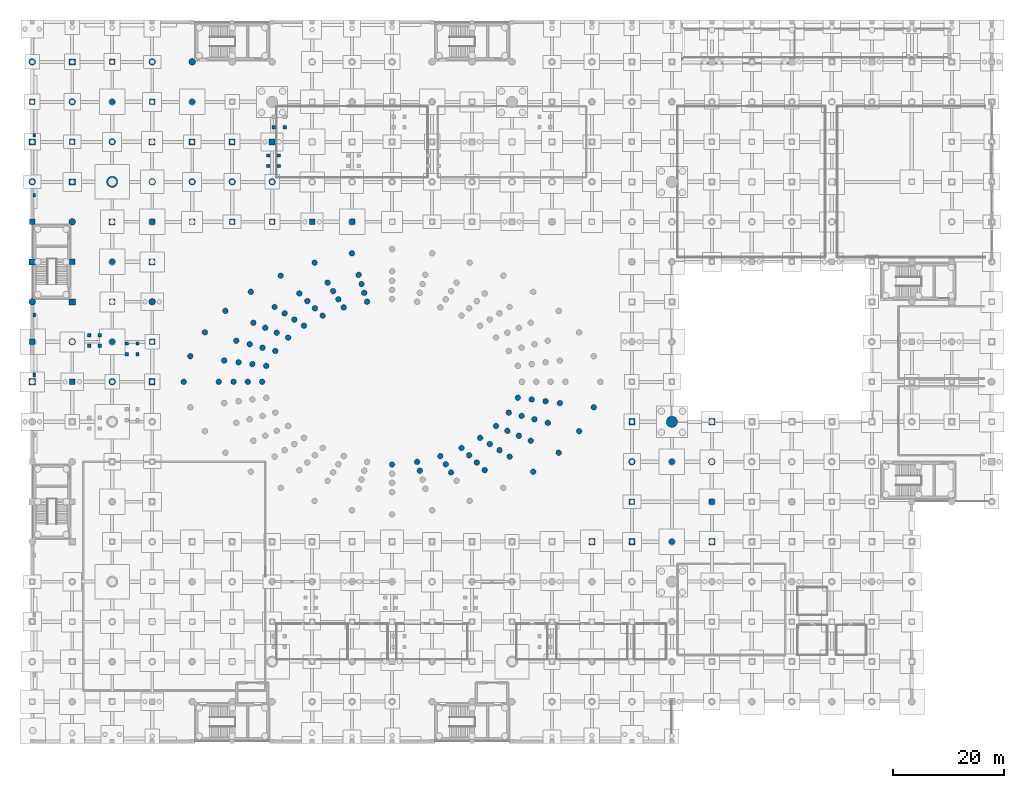
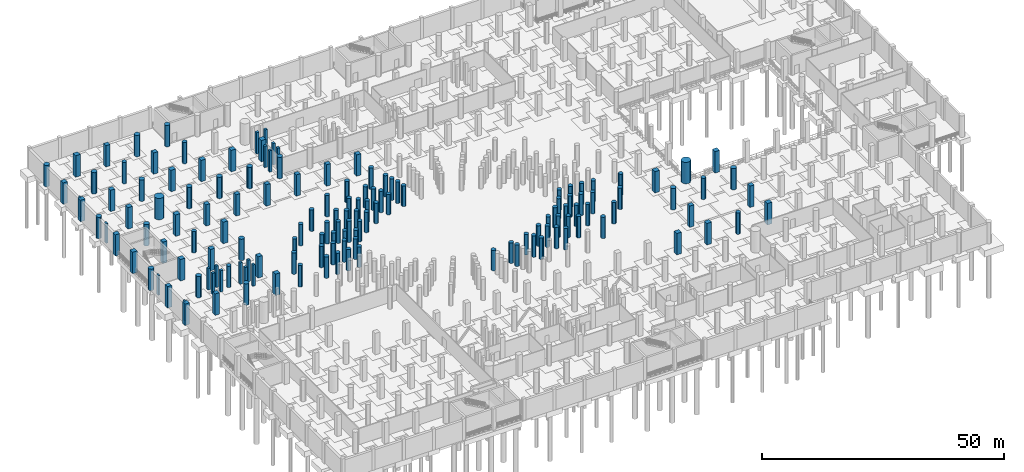
# One storey, part 18 of 37: 149 columns.
"""IFC4 building model written with IfcOpenShell, lengths in metres."""

import ifcopenshell
import ifcopenshell.guid

model = None  # the IFC model being written
_history = None  # IfcOwnerHistory: only IFC2X3 demands one
_inside = {}  # id of a spatial element -> (the spatial element, [elements in it])
_under = {}  # id of a project, library or spatial element -> (it, [spatial elements below it])
_declared = {}  # id of a project -> (the project, [libraries it declares])
_typed = {}  # id of a type object -> (the type object, [elements of that type])
_made_of = {}  # id of a material, layer set ... -> (it, [elements and type objects made of it])


def new_model(schema):
    """Start an empty IFC model of exactly this schema.

    Asked for "IFC4X3", IfcOpenShell would pick the latest addendum, in which some entities
    have other attributes; the version numbers below select the first issue.
    IFC2X3 requires an IfcOwnerHistory on every rooted entity: one is made here for all.
    """
    global model, _history
    if schema == "IFC4X3":
        model = ifcopenshell.file(schema_version=(4, 3, 0, 0))
    else:
        model = ifcopenshell.file(schema=schema)
    _inside.clear()
    _under.clear()
    _declared.clear()
    _typed.clear()
    _made_of.clear()
    _history = None
    if model.schema == "IFC2X3":
        org = make("IfcOrganization", Name="unknown")
        user = make(
            "IfcPersonAndOrganization",
            ThePerson=make("IfcPerson", FamilyName="unknown"),
            TheOrganization=org,
        )
        app = make(
            "IfcApplication",
            ApplicationDeveloper=org,
            Version="unknown",
            ApplicationFullName="unknown",
            ApplicationIdentifier="unknown",
        )
        _history = make(
            "IfcOwnerHistory",
            OwningUser=user,
            OwningApplication=app,
            ChangeAction="ADDED",
            CreationDate=0,
        )
    return model


def make(cls, **values):
    """One entity of the class cls with the attributes given. An attribute that is None is left unset."""
    return model.create_entity(
        cls, **{name: value for name, value in values.items() if value is not None}
    )


def rooted(cls, **values):
    """An entity with a GlobalId (a new one), such as an element, a storey or a relation."""
    return make(cls, GlobalId=ifcopenshell.guid.new(), OwnerHistory=_history, **values)


def si_unit(unit_type, name, prefix=None):
    """IfcSIUnit, for example si_unit("LENGTHUNIT", "METRE", prefix="MILLI")."""
    return make("IfcSIUnit", UnitType=unit_type, Prefix=prefix, Name=name)


def assignment(units):
    """IfcUnitAssignment: the units of a project."""
    return None if units is None else make("IfcUnitAssignment", Units=units)


def point(xyz):
    """IfcCartesianPoint."""
    return None if xyz is None else make("IfcCartesianPoint", Coordinates=xyz)


def direction(xyz):
    """IfcDirection."""
    return None if xyz is None else make("IfcDirection", DirectionRatios=xyz)


def frame(location, z_axis=None, x_axis=None):
    """IfcAxis2Placement3D, a coordinate frame: its origin and axes. An axis left out is left unset."""
    return make(
        "IfcAxis2Placement3D",
        Location=point(location),
        Axis=direction(z_axis),
        RefDirection=direction(x_axis),
    )


def frame_2d(location, x_axis=None):
    """IfcAxis2Placement2D, a coordinate frame in the plane: its origin and x axis."""
    return make(
        "IfcAxis2Placement2D", Location=point(location), RefDirection=direction(x_axis)
    )


def origin():
    """The frame at (0, 0, 0) with its axes left unset."""
    return frame((0.0, 0.0, 0.0))


def origin_2d():
    """The frame at (0, 0) in the plane with its x axis left unset."""
    return frame_2d((0.0, 0.0))


def place(relative_to, where):
    """IfcLocalPlacement: puts the frame where relative to a parent placement (None: the world)."""
    return make(
        "IfcLocalPlacement", PlacementRelTo=relative_to, RelativePlacement=where
    )


def context(
    kind, dimensions, precision=None, world=None, true_north=None, identifier=None
):
    """IfcGeometricRepresentationContext, for example the 3D "Model" context."""
    return make(
        "IfcGeometricRepresentationContext",
        ContextIdentifier=identifier,
        ContextType=kind,
        CoordinateSpaceDimension=dimensions,
        Precision=precision,
        WorldCoordinateSystem=world,
        TrueNorth=true_north,
    )


def subcontext(parent, identifier, kind, view, scale=None):
    """IfcGeometricRepresentationSubContext, for example "Body" below "Model"."""
    return make(
        "IfcGeometricRepresentationSubContext",
        ContextIdentifier=identifier,
        ContextType=kind,
        ParentContext=parent,
        TargetScale=scale,
        TargetView=view,
    )


def project(units=None, contexts=None):
    """IfcProject with its units and contexts."""
    return rooted(
        "IfcProject",
        Name="project",
        RepresentationContexts=contexts,
        UnitsInContext=assignment(units),
    )


def spatial(cls, under=None, at=None, **own):
    """A site, building, storey or space (cls), placed at a placement, below another one or the project."""
    s = rooted(cls, ObjectPlacement=at, **own)
    if under is not None:
        _under.setdefault(under.id(), (under, []))[1].append(s)
    return s


def profile(cls, at=None, kind="AREA", **sizes):
    """A parametric profile (cls). Its sizes go by their IFC names, for example OverallWidth=200.0."""
    return make(cls, ProfileType=kind, Position=at, **sizes)


def rectangle(**sizes):
    """IfcRectangleProfileDef."""
    return profile("IfcRectangleProfileDef", **sizes)


def circle(**sizes):
    """IfcCircleProfileDef."""
    return profile("IfcCircleProfileDef", **sizes)


def extrude(swept, where, along, depth):
    """IfcExtrudedAreaSolid: the profile swept, set in the frame where, extruded along a direction by depth."""
    return make(
        "IfcExtrudedAreaSolid",
        SweptArea=swept,
        Position=where,
        ExtrudedDirection=direction(along),
        Depth=depth,
    )


def shape(context_of_items, identifier, shape_type, items):
    """IfcShapeRepresentation: the items that make up one representation, for example the "Body"."""
    return make(
        "IfcShapeRepresentation",
        ContextOfItems=context_of_items,
        RepresentationIdentifier=identifier,
        RepresentationType=shape_type,
        Items=items,
    )


def material(Name=None, Category=None):
    """IfcMaterial."""
    return make("IfcMaterial", Name=Name, Category=Category)


def material_profile(
    of_material, cross_section, Name=None, Category=None, Priority=None
):
    """IfcMaterialProfile: a cross section and its material."""
    return make(
        "IfcMaterialProfile",
        Name=Name,
        Material=of_material,
        Profile=cross_section,
        Priority=Priority,
        Category=Category,
    )


def profile_set(profiles, Name=None, composite=None):
    """IfcMaterialProfileSet."""
    return make(
        "IfcMaterialProfileSet",
        Name=Name,
        MaterialProfiles=profiles,
        CompositeProfile=composite,
    )


def made_of(thing, what):
    """Note that an element or type object is made of a material, layer set ...; save() writes the relation."""
    if what is not None:
        _made_of.setdefault(what.id(), (what, []))[1].append(thing)
    return thing


def type_object(cls, material=None, **own):
    """A type object (cls), such as IfcWallType, which elements share."""
    return made_of(rooted(cls, **own), material)


def element(
    cls,
    number,
    at=None,
    inside=None,
    cuts=None,
    type_object=None,
    material=None,
    context=None,
    identifier="Body",
    shape_type=None,
    held_by="IfcProductDefinitionShape",
    body=None,
    shapes=None,
    **own,
):
    """One element of the class cls, such as IfcWall. Its Tag is "e" and its number.

    at: its placement. inside: the storey or other place that contains it. cuts: it is an
    opening in that element (IfcRelVoidsElement). A single representation is given by context,
    identifier, shape_type and body (its items); several are given by shapes. held_by: the class
    of the entity that holds the representations. save() writes the other relations.
    """
    e = rooted(cls, Tag="e%d" % number, ObjectPlacement=at, **own)
    if body is not None:
        shapes = [shape(context, identifier, shape_type, body)]
    if shapes is not None:
        e.Representation = make(held_by, Representations=shapes)
    if inside is not None:
        _inside.setdefault(inside.id(), (inside, []))[1].append(e)
    if cuts is not None:
        rooted(
            "IfcRelVoidsElement", RelatingBuildingElement=cuts, RelatedOpeningElement=e
        )
    if type_object is not None:
        _typed.setdefault(type_object.id(), (type_object, []))[1].append(e)
    return made_of(e, material)


def aggregate(whole, parts):
    """IfcRelAggregates: a whole, such as a stair, and the parts it consists of."""
    return rooted("IfcRelAggregates", RelatingObject=whole, RelatedObjects=parts)


def save(model, path):
    """Write the relations noted so far, then the file.

    IfcRelAggregates (storeys below a building ...), IfcRelContainedInSpatialStructure (elements
    in a storey), IfcRelDefinesByType, IfcRelAssociatesMaterial and IfcRelDeclares: one each for
    every whole, place, type object, material and project.
    """
    for whole, parts in _under.values():
        aggregate(whole, parts)
    for where, things in _inside.values():
        rooted(
            "IfcRelContainedInSpatialStructure",
            RelatedElements=things,
            RelatingStructure=where,
        )
    for kind, things in _typed.values():
        rooted("IfcRelDefinesByType", RelatedObjects=things, RelatingType=kind)
    for what, things in _made_of.values():
        rooted("IfcRelAssociatesMaterial", RelatedObjects=things, RelatingMaterial=what)
    for by, libraries in _declared.values():
        rooted("IfcRelDeclares", RelatingContext=by, RelatedDefinitions=libraries)
    model.write(path)


model = new_model("IFC4")

# Units and contexts
model_context = context("Model", 3, precision=1e-05, world=origin(), true_north=direction((0.0, 1.0)))
body_context = subcontext(model_context, "Body", "Model", "MODEL_VIEW")
ifc_project = project(units=[si_unit("LENGTHUNIT", "METRE"), si_unit("AREAUNIT", "SQUARE_METRE"), si_unit("VOLUMEUNIT", "CUBIC_METRE"), si_unit("PLANEANGLEUNIT", "RADIAN"), si_unit("MASSUNIT", "GRAM", prefix="KILO")], contexts=[model_context])

# Site, building, storey
site_placement = place(None, origin())
site = spatial("IfcSite", under=ifc_project, at=site_placement, CompositionType="ELEMENT")
building_placement = place(site_placement, origin())
building = spatial("IfcBuilding", under=site, at=building_placement, Name="Qandorah Velis Arena", CompositionType="ELEMENT")
storey_placement = place(building_placement, frame((0.0, 0.0, -5.39990234375)))
storey = spatial("IfcBuildingStorey", under=building, at=storey_placement, Name="B1", CompositionType="ELEMENT", Elevation=-5.39990234375)

# Columns
ifc_material_1 = material(Name="Concrete C50/60", Category="concrete")
ifc_material_profile_1 = material_profile(ifc_material_1, circle(Radius=1.0, at=origin_2d()), Name="MC D2000")
ifc_profile_set_1 = profile_set([ifc_material_profile_1], Name="Concrete C50/60")
column_type_1 = type_object("IfcColumnType", Name="STR-COL-MC2000", PredefinedType="COLUMN", material=ifc_profile_set_1)
for number, where, z_axis, x_axis, name in (
    (1, (14.39990234375, 100.800048828125, 0.0), (0.0, 0.0, 1.0), (1.0, 0.0, 0.0), "Mega column MC3 (B1)"),
    (2, (115.199951171875, 57.60009765625, 0.0), (0.0, 0.0, 1.0), (1.0, 0.0, 0.0), "Mega column MC9 (B1)"),
):
    element("IfcColumn", number, at=place(storey_placement, frame(where, z_axis=z_axis, x_axis=x_axis)), inside=storey, type_object=column_type_1, Name=name, PredefinedType="COLUMN", context=body_context, shape_type="SweptSolid", body=[
        extrude(circle(Radius=1.0, at=origin_2d()), origin(), (0.0, 0.0, 1.0), 5.39990234375),
    ])
ifc_material_2 = material(Name="Concrete C40/50", Category="concrete")
ifc_material_profile_2 = material_profile(ifc_material_2, rectangle(XDim=1.0, YDim=1.0, at=origin_2d()), Name="RC COL 1000x1000")
ifc_profile_set_2 = profile_set([ifc_material_profile_2], Name="Concrete C40/50")
column_type_2 = type_object("IfcColumnType", Name="STR-COL-RC1000", PredefinedType="COLUMN", material=ifc_profile_set_2)
for number, where, z_axis, x_axis, name in (
    (3, (0.0, 72.0, 0.0), (0.0, 0.0, 1.0), (1.0, 0.0, 0.0), "Structural column B1-010"),
    (4, (0.0, 93.60009765625, 0.0), (0.0, 0.0, 1.0), (1.0, 0.0, 0.0), "Structural column B1-013"),
    (5, (0.0, 115.199951171875, 0.0), (0.0, 0.0, 1.0), (1.0, 0.0, 0.0), "Structural column B1-016"),
    (6, (7.199951171875, 64.800048828125, 0.0), (0.0, 0.0, 1.0), (1.0, 0.0, 0.0), "Structural column B1-028"),
    (7, (7.199951171875, 86.39990234375, 0.0), (0.0, 0.0, 1.0), (1.0, 0.0, 0.0), "Structural column B1-031"),
    (8, (7.199951171875, 108.0, 0.0), (0.0, 0.0, 1.0), (1.0, 0.0, 0.0), "Structural column B1-034"),
    (9, (14.39990234375, 79.199951171875, 0.0), (0.0, 0.0, 1.0), (1.0, 0.0, 0.0), "Structural column B1-049"),
    (10, (14.39990234375, 122.39990234375, 0.0), (0.0, 0.0, 1.0), (1.0, 0.0, 0.0), "Structural column B1-055"),
    (11, (21.60009765625, 72.0, 0.0), (0.0, 0.0, 1.0), (1.0, 0.0, 0.0), "Structural column B1-067"),
    (12, (21.60009765625, 93.60009765625, 0.0), (0.0, 0.0, 1.0), (1.0, 0.0, 0.0), "Structural column B1-070"),
    (13, (21.60009765625, 115.199951171875, 0.0), (0.0, 0.0, 1.0), (1.0, 0.0, 0.0), "Structural column B1-073"),
    (14, (28.800048828125, 93.60009765625, 0.0), (0.0, 0.0, 1.0), (1.0, 0.0, 0.0), "Structural column B1-082"),
    (15, (36.0, 93.60009765625, 0.0), (0.0, 0.0, 1.0), (1.0, 0.0, 0.0), "Structural column B1-094"),
    (16, (43.199951171875, 93.60009765625, 0.0), (0.0, 0.0, 1.0), (1.0, 0.0, 0.0), "Structural column B1-106"),
    (17, (50.39990234375, 93.60009765625, 0.0), (0.0, 0.0, 1.0), (1.0, 0.0, 0.0), "Structural column B1-118"),
    (18, (57.60009765625, 93.60009765625, 0.0), (0.0, 0.0, 1.0), (1.0, 0.0, 0.0), "Structural column B1-130"),
    (19, (108.0, 43.199951171875, 0.0), (0.0, 0.0, 1.0), (1.0, 0.0, 0.0), "Structural column B1-214"),
    (20, (122.39990234375, 43.199951171875, 0.0), (0.0, 0.0, 1.0), (1.0, 0.0, 0.0), "Structural column B1-250"),
):
    element("IfcColumn", number, at=place(storey_placement, frame(where, z_axis=z_axis, x_axis=x_axis)), inside=storey, type_object=column_type_2, Name=name, PredefinedType="COLUMN", context=body_context, shape_type="SweptSolid", body=[
        extrude(rectangle(XDim=1.0, YDim=1.0, at=origin_2d()), origin(), (0.0, 0.0, 1.0), 5.39990234375),
    ])
ifc_material_profile_3 = material_profile(ifc_material_2, rectangle(XDim=1.10009765625, YDim=1.10009765625, at=origin_2d()), Name="RC COL 1100x1100")
ifc_profile_set_3 = profile_set([ifc_material_profile_3], Name="Concrete C40/50")
column_type_3 = type_object("IfcColumnType", Name="STR-COL-RC1100", PredefinedType="COLUMN", material=ifc_profile_set_3)
for number, where, z_axis, x_axis, name in (
    (21, (0.0, 64.800048828125, 0.0), (0.0, 0.0, 1.0), (1.0, 0.0, 0.0), "Structural column B1-009"),
    (22, (0.0, 86.39990234375, 0.0), (0.0, 0.0, 1.0), (1.0, 0.0, 0.0), "Structural column B1-012"),
    (23, (0.0, 108.0, 0.0), (0.0, 0.0, 1.0), (1.0, 0.0, 0.0), "Structural column B1-015"),
    (24, (7.199951171875, 79.199951171875, 0.0), (0.0, 0.0, 1.0), (1.0, 0.0, 0.0), "Structural column B1-030"),
    (25, (7.199951171875, 100.800048828125, 0.0), (0.0, 0.0, 1.0), (1.0, 0.0, 0.0), "Structural column B1-033"),
    (26, (7.199951171875, 122.39990234375, 0.0), (0.0, 0.0, 1.0), (1.0, 0.0, 0.0), "Structural column B1-036"),
    (27, (14.39990234375, 93.60009765625, 0.0), (0.0, 0.0, 1.0), (1.0, 0.0, 0.0), "Structural column B1-051"),
    (28, (21.60009765625, 64.800048828125, 0.0), (0.0, 0.0, 1.0), (1.0, 0.0, 0.0), "Structural column B1-066"),
    (29, (21.60009765625, 86.39990234375, 0.0), (0.0, 0.0, 1.0), (1.0, 0.0, 0.0), "Structural column B1-069"),
    (30, (21.60009765625, 108.0, 0.0), (0.0, 0.0, 1.0), (1.0, 0.0, 0.0), "Structural column B1-072"),
    (31, (28.800048828125, 108.0, 0.0), (0.0, 0.0, 1.0), (1.0, 0.0, 0.0), "Structural column B1-084"),
    (32, (36.0, 108.0, 0.0), (0.0, 0.0, 1.0), (1.0, 0.0, 0.0), "Structural column B1-096"),
    (33, (43.199951171875, 108.0, 0.0), (0.0, 0.0, 1.0), (1.0, 0.0, 0.0), "Structural column B1-108"),
    (34, (100.800048828125, 36.0, 0.0), (0.0, 0.0, 1.0), (1.0, 0.0, 0.0), "Structural column B1-201"),
    (35, (108.0, 36.0, 0.0), (0.0, 0.0, 1.0), (1.0, 0.0, 0.0), "Structural column B1-213"),
    (36, (108.0, 57.60009765625, 0.0), (0.0, 0.0, 1.0), (1.0, 0.0, 0.0), "Structural column B1-216"),
    (37, (122.39990234375, 36.0, 0.0), (0.0, 0.0, 1.0), (1.0, 0.0, 0.0), "Structural column B1-249"),
    (38, (122.39990234375, 57.60009765625, 0.0), (0.0, 0.0, 1.0), (1.0, 0.0, 0.0), "Structural column B1-252"),
):
    element("IfcColumn", number, at=place(storey_placement, frame(where, z_axis=z_axis, x_axis=x_axis)), inside=storey, type_object=column_type_3, Name=name, PredefinedType="COLUMN", context=body_context, shape_type="SweptSolid", body=[
        extrude(rectangle(XDim=1.10009765625, YDim=1.10009765625, at=origin_2d()), origin(), (0.0, 0.0, 1.0), 5.39990234375),
    ])
ifc_material_profile_4 = material_profile(ifc_material_2, rectangle(XDim=0.60009765625, YDim=0.60009765625, at=origin_2d()), Name="RC COL 600x600")
ifc_profile_set_4 = profile_set([ifc_material_profile_4], Name="Concrete C40/50")
column_type_4 = type_object("IfcColumnType", Name="STR-COL-RC600", PredefinedType="COLUMN", material=ifc_profile_set_4)
for number, where, z_axis, x_axis, name in (
    (39, (42.5, 103.64990234375, 0.0), (0.0, 0.0, 1.0), (1.0, 0.0, 0.0), "Vomitory VS4 B1 support column 1"),
    (40, (44.39990234375, 103.64990234375, 0.0), (0.0, 0.0, 1.0), (1.0, 0.0, 0.0), "Vomitory VS4 B1 support column 2"),
    (41, (42.5, 105.550048828125, 0.0), (0.0, 0.0, 1.0), (1.0, 0.0, 0.0), "Vomitory VS4 B1 support column 3"),
    (42, (44.39990234375, 105.550048828125, 0.0), (0.0, 0.0, 1.0), (1.0, 0.0, 0.0), "Vomitory VS4 B1 support column 4"),
    (43, (10.25, 71.300048828125, 0.0), (0.0, 0.0, 1.0), (1.0, 0.0, 0.0), "Vomitory VS8 B1 support column 1"),
    (44, (12.14990234375, 71.300048828125, 0.0), (0.0, 0.0, 1.0), (1.0, 0.0, 0.0), "Vomitory VS8 B1 support column 2"),
    (45, (10.25, 73.199951171875, 0.0), (0.0, 0.0, 1.0), (1.0, 0.0, 0.0), "Vomitory VS8 B1 support column 3"),
    (46, (12.14990234375, 73.199951171875, 0.0), (0.0, 0.0, 1.0), (1.0, 0.0, 0.0), "Vomitory VS8 B1 support column 4"),
    (47, (43.5, 110.64990234375, 0.0), (0.0, 0.0, 1.0), (1.0, 0.0, 0.0), "Vomitory VS12 B1 landing column 1"),
    (48, (45.449951171875, 110.64990234375, 0.0), (0.0, 0.0, 1.0), (1.0, 0.0, 0.0), "Vomitory VS12 B1 landing column 2"),
    (49, (17.050048828125, 69.75, 0.0), (0.0, 0.0, 1.0), (1.0, 0.0, 0.0), "Vomitory VS16 B1 landing column 1"),
    (50, (18.949951171875, 69.75, 0.0), (0.0, 0.0, 1.0), (1.0, 0.0, 0.0), "Vomitory VS16 B1 landing column 2"),
    (51, (17.050048828125, 71.699951171875, 0.0), (0.0, 0.0, 1.0), (1.0, 0.0, 0.0), "Vomitory VS16 B1 landing column 3"),
    (52, (18.949951171875, 71.699951171875, 0.0), (0.0, 0.0, 1.0), (1.0, 0.0, 0.0), "Vomitory VS16 B1 landing column 4"),
):
    element("IfcColumn", number, at=place(storey_placement, frame(where, z_axis=z_axis, x_axis=x_axis)), inside=storey, type_object=column_type_4, Name=name, PredefinedType="COLUMN", context=body_context, shape_type="SweptSolid", body=[
        extrude(rectangle(XDim=0.60009765625, YDim=0.60009765625, at=origin_2d()), origin(), (0.0, 0.0, 1.0), 5.39990234375),
    ])
ifc_material_profile_5 = material_profile(ifc_material_2, circle(Radius=0.5, at=origin_2d()), Name="RC D1000")
ifc_profile_set_5 = profile_set([ifc_material_profile_5], Name="Concrete C40/50")
column_type_5 = type_object("IfcColumnType", Name="STR-COL-RCD1000", PredefinedType="COLUMN", material=ifc_profile_set_5)
for number, where, z_axis, x_axis, name in (
    (53, (14.39990234375, 72.0, 0.0), (0.0, 0.0, 1.0), (1.0, 0.0, 0.0), "Bowl drum ring column B1-048"),
    (54, (14.39990234375, 86.39990234375, 0.0), (0.0, 0.0, 1.0), (1.0, 0.0, 0.0), "Bowl drum ring column B1-050"),
    (55, (14.39990234375, 115.199951171875, 0.0), (0.0, 0.0, 1.0), (1.0, 0.0, 0.0), "Bowl drum ring column B1-054"),
    (56, (28.800048828125, 115.199951171875, 0.0), (0.0, 0.0, 1.0), (1.0, 0.0, 0.0), "Bowl drum ring column B1-085"),
    (57, (115.199951171875, 36.0, 0.0), (0.0, 0.0, 1.0), (1.0, 0.0, 0.0), "Bowl drum ring column B1-232"),
    (58, (115.199951171875, 50.39990234375, 0.0), (0.0, 0.0, 1.0), (1.0, 0.0, 0.0), "Bowl drum ring column B1-233"),
):
    element("IfcColumn", number, at=place(storey_placement, frame(where, z_axis=z_axis, x_axis=x_axis)), inside=storey, type_object=column_type_5, Name=name, PredefinedType="COLUMN", context=body_context, shape_type="SweptSolid", body=[
        extrude(circle(Radius=0.5, at=origin_2d()), origin(), (0.0, 0.0, 1.0), 5.39990234375),
    ])
column_1_placement = place(storey_placement, frame((60.293701171875, 79.2255859375, 0.0), z_axis=(0.0, 0.0, 1.0), x_axis=(1.0, 0.0, 0.0)))
element("IfcColumn", 59, at=column_1_placement, inside=storey, type_object=column_type_5, Name="Lower bowl inner support column 5.2", PredefinedType="COLUMN", context=body_context, shape_type="SweptSolid", body=[
    extrude(circle(Radius=0.5, at=origin_2d()), origin(), (0.0, 0.0, 1.0), 5.159912109375),
])
for number, where, z_axis, x_axis, name in (
    (60, (59.7978515625, 80.8125, 0.0), (0.0, 0.0, 1.0), (1.0, 0.0, 0.0), "Lower bowl mid B1 support column 5.2"),
    (61, (59.30224609375, 82.399169921875, 0.0), (0.0, 0.0, 1.0), (1.0, 0.0, 0.0), "Basement bowl raker support column 5.2"),
    (62, (58.78759765625, 84.04638671875, 0.0), (0.0, 0.0, 1.0), (1.0, 0.0, 0.0), "Upper raker fulcrum column B1 5.2"),
    (63, (57.574462890625, 87.930419921875, 0.0), (0.0, 0.0, 1.0), (1.0, 0.0, 0.0), "Outer bowl raker column B1 5.2"),
):
    element("IfcColumn", number, at=place(storey_placement, frame(where, z_axis=z_axis, x_axis=x_axis)), inside=storey, type_object=column_type_5, Name=name, PredefinedType="COLUMN", context=body_context, shape_type="SweptSolid", body=[
        extrude(circle(Radius=0.5, at=origin_2d()), origin(), (0.0, 0.0, 1.0), 5.39990234375),
    ])
column_2_placement = place(storey_placement, frame((56.0947265625, 78.182373046875, 0.0), z_axis=(0.0, 0.0, 1.0), x_axis=(1.0, 0.0, 0.0)))
element("IfcColumn", 64, at=column_2_placement, inside=storey, type_object=column_type_5, Name="Lower bowl inner support column 6.1", PredefinedType="COLUMN", context=body_context, shape_type="SweptSolid", body=[
    extrude(circle(Radius=0.5, at=origin_2d()), origin(), (0.0, 0.0, 1.0), 5.159912109375),
])
for number, where, z_axis, x_axis, name in (
    (65, (55.13720703125, 79.654296875, 0.0), (0.0, 0.0, 1.0), (1.0, 0.0, 0.0), "Lower bowl mid B1 support column 6.1"),
    (66, (54.179443359375, 81.12646484375, 0.0), (0.0, 0.0, 1.0), (1.0, 0.0, 0.0), "Basement bowl raker support column 6.1"),
):
    element("IfcColumn", number, at=place(storey_placement, frame(where, z_axis=z_axis, x_axis=x_axis)), inside=storey, type_object=column_type_5, Name=name, PredefinedType="COLUMN", context=body_context, shape_type="SweptSolid", body=[
        extrude(circle(Radius=0.5, at=origin_2d()), origin(), (0.0, 0.0, 1.0), 5.39990234375),
    ])
column_3_placement = place(storey_placement, frame((52.29345703125, 76.71826171875, 0.0), z_axis=(0.0, 0.0, 1.0), x_axis=(1.0, 0.0, 0.0)))
element("IfcColumn", 67, at=column_3_placement, inside=storey, type_object=column_type_5, Name="Lower bowl inner support column 6.2", PredefinedType="COLUMN", context=body_context, shape_type="SweptSolid", body=[
    extrude(circle(Radius=0.5, at=origin_2d()), origin(), (0.0, 0.0, 1.0), 5.159912109375),
])
for number, where, z_axis, x_axis, name in (
    (68, (50.917724609375, 78.029296875, 0.0), (0.0, 0.0, 1.0), (1.0, 0.0, 0.0), "Lower bowl mid B1 support column 6.2"),
    (69, (49.5419921875, 79.34033203125, 0.0), (0.0, 0.0, 1.0), (1.0, 0.0, 0.0), "Basement bowl raker support column 6.2"),
    (70, (53.185546875, 82.654541015625, 0.0), (0.0, 0.0, 1.0), (1.0, 0.0, 0.0), "Upper raker fulcrum column B1 6.1"),
    (71, (50.841796875, 86.25732421875, 0.0), (0.0, 0.0, 1.0), (1.0, 0.0, 0.0), "Outer bowl raker column B1 6.1"),
    (72, (48.114013671875, 80.701171875, 0.0), (0.0, 0.0, 1.0), (1.0, 0.0, 0.0), "Upper raker fulcrum column B1 6.2"),
    (73, (44.746826171875, 83.909912109375, 0.0), (0.0, 0.0, 1.0), (1.0, 0.0, 0.0), "Outer bowl raker column B1 6.2"),
):
    element("IfcColumn", number, at=place(storey_placement, frame(where, z_axis=z_axis, x_axis=x_axis)), inside=storey, type_object=column_type_5, Name=name, PredefinedType="COLUMN", context=body_context, shape_type="SweptSolid", body=[
        extrude(circle(Radius=0.5, at=origin_2d()), origin(), (0.0, 0.0, 1.0), 5.39990234375),
    ])
column_4_placement = place(storey_placement, frame((48.940185546875, 74.898681640625, 0.0), z_axis=(0.0, 0.0, 1.0), x_axis=(1.0, 0.0, 0.0)))
element("IfcColumn", 74, at=column_4_placement, inside=storey, type_object=column_type_5, Name="Lower bowl inner support column 7.1", PredefinedType="COLUMN", context=body_context, shape_type="SweptSolid", body=[
    extrude(circle(Radius=0.5, at=origin_2d()), origin(), (0.0, 0.0, 1.0), 5.159912109375),
])
for number, where, z_axis, x_axis, name in (
    (75, (47.19580078125, 76.009521484375, 0.0), (0.0, 0.0, 1.0), (1.0, 0.0, 0.0), "Lower bowl mid B1 support column 7.1"),
    (76, (45.451171875, 77.120361328125, 0.0), (0.0, 0.0, 1.0), (1.0, 0.0, 0.0), "Basement bowl raker support column 7.1"),
):
    element("IfcColumn", number, at=place(storey_placement, frame(where, z_axis=z_axis, x_axis=x_axis)), inside=storey, type_object=column_type_5, Name=name, PredefinedType="COLUMN", context=body_context, shape_type="SweptSolid", body=[
        extrude(circle(Radius=0.5, at=origin_2d()), origin(), (0.0, 0.0, 1.0), 5.39990234375),
    ])
column_5_placement = place(storey_placement, frame((46.082763671875, 72.763427734375, 0.0), z_axis=(0.0, 0.0, 1.0), x_axis=(1.0, 0.0, 0.0)))
element("IfcColumn", 77, at=column_5_placement, inside=storey, type_object=column_type_5, Name="Lower bowl inner support column 7.2", PredefinedType="COLUMN", context=body_context, shape_type="SweptSolid", body=[
    extrude(circle(Radius=0.5, at=origin_2d()), origin(), (0.0, 0.0, 1.0), 5.159912109375),
])
for number, where, z_axis, x_axis, name in (
    (78, (44.02392578125, 73.639404296875, 0.0), (0.0, 0.0, 1.0), (1.0, 0.0, 0.0), "Lower bowl mid B1 support column 7.2"),
    (79, (41.965087890625, 74.515380859375, 0.0), (0.0, 0.0, 1.0), (1.0, 0.0, 0.0), "Basement bowl raker support column 7.2"),
    (80, (43.64013671875, 78.2734375, 0.0), (0.0, 0.0, 1.0), (1.0, 0.0, 0.0), "Upper raker fulcrum column B1 7.1"),
    (81, (39.370361328125, 80.992431640625, 0.0), (0.0, 0.0, 1.0), (1.0, 0.0, 0.0), "Outer bowl raker column B1 7.1"),
    (82, (39.82763671875, 75.4248046875, 0.0), (0.0, 0.0, 1.0), (1.0, 0.0, 0.0), "Upper raker fulcrum column B1 7.2"),
    (83, (34.788330078125, 77.56884765625, 0.0), (0.0, 0.0, 1.0), (1.0, 0.0, 0.0), "Outer bowl raker column B1 7.2"),
):
    element("IfcColumn", number, at=place(storey_placement, frame(where, z_axis=z_axis, x_axis=x_axis)), inside=storey, type_object=column_type_5, Name=name, PredefinedType="COLUMN", context=body_context, shape_type="SweptSolid", body=[
        extrude(circle(Radius=0.5, at=origin_2d()), origin(), (0.0, 0.0, 1.0), 5.39990234375),
    ])
column_6_placement = place(storey_placement, frame((43.783447265625, 70.343017578125, 0.0), z_axis=(0.0, 0.0, 1.0), x_axis=(1.0, 0.0, 0.0)))
element("IfcColumn", 84, at=column_6_placement, inside=storey, type_object=column_type_5, Name="Lower bowl inner support column 8.1", PredefinedType="COLUMN", context=body_context, shape_type="SweptSolid", body=[
    extrude(circle(Radius=0.5, at=origin_2d()), origin(), (0.0, 0.0, 1.0), 5.159912109375),
])
for number, where, z_axis, x_axis, name in (
    (85, (41.4716796875, 70.952880859375, 0.0), (0.0, 0.0, 1.0), (1.0, 0.0, 0.0), "Lower bowl mid B1 support column 8.1"),
    (86, (39.159912109375, 71.5625, 0.0), (0.0, 0.0, 1.0), (1.0, 0.0, 0.0), "Basement bowl raker support column 8.1"),
):
    element("IfcColumn", number, at=place(storey_placement, frame(where, z_axis=z_axis, x_axis=x_axis)), inside=storey, type_object=column_type_5, Name=name, PredefinedType="COLUMN", context=body_context, shape_type="SweptSolid", body=[
        extrude(circle(Radius=0.5, at=origin_2d()), origin(), (0.0, 0.0, 1.0), 5.39990234375),
    ])
column_7_placement = place(storey_placement, frame((42.14501953125, 67.66943359375, 0.0), z_axis=(0.0, 0.0, 1.0), x_axis=(1.0, 0.0, 0.0)))
element("IfcColumn", 87, at=column_7_placement, inside=storey, type_object=column_type_5, Name="Lower bowl inner support column 8.2", PredefinedType="COLUMN", context=body_context, shape_type="SweptSolid", body=[
    extrude(circle(Radius=0.5, at=origin_2d()), origin(), (0.0, 0.0, 1.0), 5.159912109375),
])
for number, where, z_axis, x_axis, name in (
    (88, (39.653076171875, 67.985107421875, 0.0), (0.0, 0.0, 1.0), (1.0, 0.0, 0.0), "Lower bowl mid B1 support column 8.2"),
    (89, (37.160888671875, 68.30078125, 0.0), (0.0, 0.0, 1.0), (1.0, 0.0, 0.0), "Basement bowl raker support column 8.2"),
    (90, (36.760009765625, 72.195556640625, 0.0), (0.0, 0.0, 1.0), (1.0, 0.0, 0.0), "Upper raker fulcrum column B1 8.1"),
    (91, (31.101806640625, 73.68798828125, 0.0), (0.0, 0.0, 1.0), (1.0, 0.0, 0.0), "Outer bowl raker column B1 8.1"),
    (92, (34.573974609375, 68.62841796875, 0.0), (0.0, 0.0, 1.0), (1.0, 0.0, 0.0), "Upper raker fulcrum column B1 8.2"),
    (93, (28.474609375, 69.40087890625, 0.0), (0.0, 0.0, 1.0), (1.0, 0.0, 0.0), "Outer bowl raker column B1 8.2"),
):
    element("IfcColumn", number, at=place(storey_placement, frame(where, z_axis=z_axis, x_axis=x_axis)), inside=storey, type_object=column_type_5, Name=name, PredefinedType="COLUMN", context=body_context, shape_type="SweptSolid", body=[
        extrude(circle(Radius=0.5, at=origin_2d()), origin(), (0.0, 0.0, 1.0), 5.39990234375),
    ])
column_8_placement = place(storey_placement, frame((41.39990234375, 64.800048828125, 0.0), z_axis=(0.0, 0.0, 1.0), x_axis=(1.0, 0.0, 0.0)))
element("IfcColumn", 94, at=column_8_placement, inside=storey, type_object=column_type_5, Name="Lower bowl inner support column 9.1", PredefinedType="COLUMN", context=body_context, shape_type="SweptSolid", body=[
    extrude(circle(Radius=0.5, at=origin_2d()), origin(), (0.0, 0.0, 1.0), 5.159912109375),
])
for number, where, z_axis, x_axis, name in (
    (95, (38.825927734375, 64.800048828125, 0.0), (0.0, 0.0, 1.0), (1.0, 0.0, 0.0), "Lower bowl mid B1 support column 9.1"),
    (96, (36.251953125, 64.800048828125, 0.0), (0.0, 0.0, 1.0), (1.0, 0.0, 0.0), "Basement bowl raker support column 9.1"),
    (97, (33.580078125, 64.800048828125, 0.0), (0.0, 0.0, 1.0), (1.0, 0.0, 0.0), "Upper raker fulcrum column B1 9.1"),
    (98, (27.280029296875, 64.800048828125, 0.0), (0.0, 0.0, 1.0), (1.0, 0.0, 0.0), "Outer bowl raker column B1 9.1"),
):
    element("IfcColumn", number, at=place(storey_placement, frame(where, z_axis=z_axis, x_axis=x_axis)), inside=storey, type_object=column_type_5, Name=name, PredefinedType="COLUMN", context=body_context, shape_type="SweptSolid", body=[
        extrude(circle(Radius=0.5, at=origin_2d()), origin(), (0.0, 0.0, 1.0), 5.39990234375),
    ])
for number, where, z_axis, x_axis, name in (
    (99, (64.800048828125, 49.89990234375, 0.0), (0.0, 0.0, 1.0), (1.0, 0.0, 0.0), "Lower bowl inner support column 13.1"),
    (100, (69.306396484375, 50.37451171875, 0.0), (0.0, 0.0, 1.0), (1.0, 0.0, 0.0), "Lower bowl inner support column 13.2"),
):
    element("IfcColumn", number, at=place(storey_placement, frame(where, z_axis=z_axis, x_axis=x_axis)), inside=storey, type_object=column_type_5, Name=name, PredefinedType="COLUMN", context=body_context, shape_type="SweptSolid", body=[
        extrude(circle(Radius=0.5, at=origin_2d()), origin(), (0.0, 0.0, 1.0), 5.159912109375),
    ])
column_9_placement = place(storey_placement, frame((69.802001953125, 48.78759765625, 0.0), z_axis=(0.0, 0.0, 1.0), x_axis=(1.0, 0.0, 0.0)))
element("IfcColumn", 101, at=column_9_placement, inside=storey, type_object=column_type_5, Name="Lower bowl mid B1 support column 13.2", PredefinedType="COLUMN", context=body_context, shape_type="SweptSolid", body=[
    extrude(circle(Radius=0.5, at=origin_2d()), origin(), (0.0, 0.0, 1.0), 5.39990234375),
])
column_10_placement = place(storey_placement, frame((73.50537109375, 51.417724609375, 0.0), z_axis=(0.0, 0.0, 1.0), x_axis=(1.0, 0.0, 0.0)))
element("IfcColumn", 102, at=column_10_placement, inside=storey, type_object=column_type_5, Name="Lower bowl inner support column 14.1", PredefinedType="COLUMN", context=body_context, shape_type="SweptSolid", body=[
    extrude(circle(Radius=0.5, at=origin_2d()), origin(), (0.0, 0.0, 1.0), 5.159912109375),
])
for number, where, z_axis, x_axis, name in (
    (103, (74.462890625, 49.94580078125, 0.0), (0.0, 0.0, 1.0), (1.0, 0.0, 0.0), "Lower bowl mid B1 support column 14.1"),
    (104, (75.42041015625, 48.4736328125, 0.0), (0.0, 0.0, 1.0), (1.0, 0.0, 0.0), "Basement bowl raker support column 14.1"),
):
    element("IfcColumn", number, at=place(storey_placement, frame(where, z_axis=z_axis, x_axis=x_axis)), inside=storey, type_object=column_type_5, Name=name, PredefinedType="COLUMN", context=body_context, shape_type="SweptSolid", body=[
        extrude(circle(Radius=0.5, at=origin_2d()), origin(), (0.0, 0.0, 1.0), 5.39990234375),
    ])
column_11_placement = place(storey_placement, frame((77.306396484375, 52.8818359375, 0.0), z_axis=(0.0, 0.0, 1.0), x_axis=(1.0, 0.0, 0.0)))
element("IfcColumn", 105, at=column_11_placement, inside=storey, type_object=column_type_5, Name="Lower bowl inner support column 14.2", PredefinedType="COLUMN", context=body_context, shape_type="SweptSolid", body=[
    extrude(circle(Radius=0.5, at=origin_2d()), origin(), (0.0, 0.0, 1.0), 5.159912109375),
])
for number, where, z_axis, x_axis, name in (
    (106, (78.68212890625, 51.57080078125, 0.0), (0.0, 0.0, 1.0), (1.0, 0.0, 0.0), "Lower bowl mid B1 support column 14.2"),
    (107, (80.057861328125, 50.259765625, 0.0), (0.0, 0.0, 1.0), (1.0, 0.0, 0.0), "Basement bowl raker support column 14.2"),
    (108, (81.486083984375, 48.898681640625, 0.0), (0.0, 0.0, 1.0), (1.0, 0.0, 0.0), "Upper raker fulcrum column B1 14.2"),
):
    element("IfcColumn", number, at=place(storey_placement, frame(where, z_axis=z_axis, x_axis=x_axis)), inside=storey, type_object=column_type_5, Name=name, PredefinedType="COLUMN", context=body_context, shape_type="SweptSolid", body=[
        extrude(circle(Radius=0.5, at=origin_2d()), origin(), (0.0, 0.0, 1.0), 5.39990234375),
    ])
column_12_placement = place(storey_placement, frame((80.65966796875, 54.701416015625, 0.0), z_axis=(0.0, 0.0, 1.0), x_axis=(1.0, 0.0, 0.0)))
element("IfcColumn", 109, at=column_12_placement, inside=storey, type_object=column_type_5, Name="Lower bowl inner support column 15.1", PredefinedType="COLUMN", context=body_context, shape_type="SweptSolid", body=[
    extrude(circle(Radius=0.5, at=origin_2d()), origin(), (0.0, 0.0, 1.0), 5.159912109375),
])
for number, where, z_axis, x_axis, name in (
    (110, (82.404296875, 53.590576171875, 0.0), (0.0, 0.0, 1.0), (1.0, 0.0, 0.0), "Lower bowl mid B1 support column 15.1"),
    (111, (84.148681640625, 52.4794921875, 0.0), (0.0, 0.0, 1.0), (1.0, 0.0, 0.0), "Basement bowl raker support column 15.1"),
):
    element("IfcColumn", number, at=place(storey_placement, frame(where, z_axis=z_axis, x_axis=x_axis)), inside=storey, type_object=column_type_5, Name=name, PredefinedType="COLUMN", context=body_context, shape_type="SweptSolid", body=[
        extrude(circle(Radius=0.5, at=origin_2d()), origin(), (0.0, 0.0, 1.0), 5.39990234375),
    ])
column_13_placement = place(storey_placement, frame((83.51708984375, 56.83642578125, 0.0), z_axis=(0.0, 0.0, 1.0), x_axis=(1.0, 0.0, 0.0)))
element("IfcColumn", 112, at=column_13_placement, inside=storey, type_object=column_type_5, Name="Lower bowl inner support column 15.2", PredefinedType="COLUMN", context=body_context, shape_type="SweptSolid", body=[
    extrude(circle(Radius=0.5, at=origin_2d()), origin(), (0.0, 0.0, 1.0), 5.159912109375),
])
for number, where, z_axis, x_axis, name in (
    (113, (85.576171875, 55.96044921875, 0.0), (0.0, 0.0, 1.0), (1.0, 0.0, 0.0), "Lower bowl mid B1 support column 15.2"),
    (114, (87.635009765625, 55.08447265625, 0.0), (0.0, 0.0, 1.0), (1.0, 0.0, 0.0), "Basement bowl raker support column 15.2"),
    (115, (85.959716796875, 51.326416015625, 0.0), (0.0, 0.0, 1.0), (1.0, 0.0, 0.0), "Upper raker fulcrum column B1 15.1"),
    (116, (90.229736328125, 48.607666015625, 0.0), (0.0, 0.0, 1.0), (1.0, 0.0, 0.0), "Outer bowl raker column B1 15.1"),
    (117, (89.772216796875, 54.17529296875, 0.0), (0.0, 0.0, 1.0), (1.0, 0.0, 0.0), "Upper raker fulcrum column B1 15.2"),
    (118, (94.8115234375, 52.03125, 0.0), (0.0, 0.0, 1.0), (1.0, 0.0, 0.0), "Outer bowl raker column B1 15.2"),
):
    element("IfcColumn", number, at=place(storey_placement, frame(where, z_axis=z_axis, x_axis=x_axis)), inside=storey, type_object=column_type_5, Name=name, PredefinedType="COLUMN", context=body_context, shape_type="SweptSolid", body=[
        extrude(circle(Radius=0.5, at=origin_2d()), origin(), (0.0, 0.0, 1.0), 5.39990234375),
    ])
column_14_placement = place(storey_placement, frame((85.81640625, 59.2568359375, 0.0), z_axis=(0.0, 0.0, 1.0), x_axis=(1.0, 0.0, 0.0)))
element("IfcColumn", 119, at=column_14_placement, inside=storey, type_object=column_type_5, Name="Lower bowl inner support column 16.1", PredefinedType="COLUMN", context=body_context, shape_type="SweptSolid", body=[
    extrude(circle(Radius=0.5, at=origin_2d()), origin(), (0.0, 0.0, 1.0), 5.159912109375),
])
for number, where, z_axis, x_axis, name in (
    (120, (88.12841796875, 58.647216796875, 0.0), (0.0, 0.0, 1.0), (1.0, 0.0, 0.0), "Lower bowl mid B1 support column 16.1"),
    (121, (90.440185546875, 58.037353515625, 0.0), (0.0, 0.0, 1.0), (1.0, 0.0, 0.0), "Basement bowl raker support column 16.1"),
):
    element("IfcColumn", number, at=place(storey_placement, frame(where, z_axis=z_axis, x_axis=x_axis)), inside=storey, type_object=column_type_5, Name=name, PredefinedType="COLUMN", context=body_context, shape_type="SweptSolid", body=[
        extrude(circle(Radius=0.5, at=origin_2d()), origin(), (0.0, 0.0, 1.0), 5.39990234375),
    ])
column_15_placement = place(storey_placement, frame((87.455078125, 61.9306640625, 0.0), z_axis=(0.0, 0.0, 1.0), x_axis=(1.0, 0.0, 0.0)))
element("IfcColumn", 122, at=column_15_placement, inside=storey, type_object=column_type_5, Name="Lower bowl inner support column 16.2", PredefinedType="COLUMN", context=body_context, shape_type="SweptSolid", body=[
    extrude(circle(Radius=0.5, at=origin_2d()), origin(), (0.0, 0.0, 1.0), 5.159912109375),
])
for number, where, z_axis, x_axis, name in (
    (123, (89.947021484375, 61.614990234375, 0.0), (0.0, 0.0, 1.0), (1.0, 0.0, 0.0), "Lower bowl mid B1 support column 16.2"),
    (124, (92.439208984375, 61.29931640625, 0.0), (0.0, 0.0, 1.0), (1.0, 0.0, 0.0), "Basement bowl raker support column 16.2"),
    (125, (92.840087890625, 57.404296875, 0.0), (0.0, 0.0, 1.0), (1.0, 0.0, 0.0), "Upper raker fulcrum column B1 16.1"),
    (126, (98.498291015625, 55.912109375, 0.0), (0.0, 0.0, 1.0), (1.0, 0.0, 0.0), "Outer bowl raker column B1 16.1"),
    (127, (95.02587890625, 60.9716796875, 0.0), (0.0, 0.0, 1.0), (1.0, 0.0, 0.0), "Upper raker fulcrum column B1 16.2"),
    (128, (101.12548828125, 60.19921875, 0.0), (0.0, 0.0, 1.0), (1.0, 0.0, 0.0), "Outer bowl raker column B1 16.2"),
):
    element("IfcColumn", number, at=place(storey_placement, frame(where, z_axis=z_axis, x_axis=x_axis)), inside=storey, type_object=column_type_5, Name=name, PredefinedType="COLUMN", context=body_context, shape_type="SweptSolid", body=[
        extrude(circle(Radius=0.5, at=origin_2d()), origin(), (0.0, 0.0, 1.0), 5.39990234375),
    ])
ifc_material_profile_6 = material_profile(ifc_material_2, circle(Radius=0.60009765625, at=origin_2d()), Name="RC D1200")
ifc_profile_set_6 = profile_set([ifc_material_profile_6], Name="Concrete C40/50")
column_type_6 = type_object("IfcColumnType", Name="STR-COL-RCD1200", PredefinedType="COLUMN", material=ifc_profile_set_6)
for number, where, z_axis, x_axis, name in (
    (129, (0.0, 79.199951171875, 0.0), (0.0, 0.0, 1.0), (1.0, 0.0, 0.0), "Structural column B1-011"),
    (130, (0.0, 100.800048828125, 0.0), (0.0, 0.0, 1.0), (1.0, 0.0, 0.0), "Structural column B1-014"),
    (131, (0.0, 122.39990234375, 0.0), (0.0, 0.0, 1.0), (1.0, 0.0, 0.0), "Structural column B1-017"),
    (132, (7.199951171875, 72.0, 0.0), (0.0, 0.0, 1.0), (1.0, 0.0, 0.0), "Structural column B1-029"),
    (133, (7.199951171875, 93.60009765625, 0.0), (0.0, 0.0, 1.0), (1.0, 0.0, 0.0), "Structural column B1-032"),
    (134, (7.199951171875, 115.199951171875, 0.0), (0.0, 0.0, 1.0), (1.0, 0.0, 0.0), "Structural column B1-035"),
    (135, (14.39990234375, 64.800048828125, 0.0), (0.0, 0.0, 1.0), (1.0, 0.0, 0.0), "Structural column B1-047"),
    (136, (14.39990234375, 108.0, 0.0), (0.0, 0.0, 1.0), (1.0, 0.0, 0.0), "Structural column B1-053"),
    (137, (21.60009765625, 79.199951171875, 0.0), (0.0, 0.0, 1.0), (1.0, 0.0, 0.0), "Structural column B1-068"),
    (138, (21.60009765625, 100.800048828125, 0.0), (0.0, 0.0, 1.0), (1.0, 0.0, 0.0), "Structural column B1-071"),
    (139, (21.60009765625, 122.39990234375, 0.0), (0.0, 0.0, 1.0), (1.0, 0.0, 0.0), "Structural column B1-074"),
    (140, (28.800048828125, 100.800048828125, 0.0), (0.0, 0.0, 1.0), (1.0, 0.0, 0.0), "Structural column B1-083"),
    (141, (28.800048828125, 122.39990234375, 0.0), (0.0, 0.0, 1.0), (1.0, 0.0, 0.0), "Structural column B1-086"),
    (142, (36.0, 100.800048828125, 0.0), (0.0, 0.0, 1.0), (1.0, 0.0, 0.0), "Structural column B1-095"),
    (143, (43.199951171875, 100.800048828125, 0.0), (0.0, 0.0, 1.0), (1.0, 0.0, 0.0), "Structural column B1-107"),
    (144, (108.0, 50.39990234375, 0.0), (0.0, 0.0, 1.0), (1.0, 0.0, 0.0), "Structural column B1-215"),
    (145, (122.39990234375, 50.39990234375, 0.0), (0.0, 0.0, 1.0), (1.0, 0.0, 0.0), "Structural column B1-251"),
):
    element("IfcColumn", number, at=place(storey_placement, frame(where, z_axis=z_axis, x_axis=x_axis)), inside=storey, type_object=column_type_6, Name=name, PredefinedType="COLUMN", context=body_context, shape_type="SweptSolid", body=[
        extrude(circle(Radius=0.60009765625, at=origin_2d()), origin(), (0.0, 0.0, 1.0), 5.39990234375),
    ])
ifc_material_profile_7 = material_profile(ifc_material_2, rectangle(XDim=0.35009765625, YDim=0.60009765625, at=origin_2d()), Name="RC PIL 350x600")
ifc_profile_set_7 = profile_set([ifc_material_profile_7], Name="Concrete C40/50")
column_type_7 = type_object("IfcColumnType", Name="STR-PIL-350X600", PredefinedType="PILASTER", material=ifc_profile_set_7)
for number, where, z_axis, x_axis, name in (
    (146, (0.35009765625, 66.0, 0.0), (0.0, 0.0, 1.0), (1.0, 0.0, 0.0), "Retaining wall pilaster PL-06"),
    (147, (0.35009765625, 109.199951171875, 0.0), (0.0, 0.0, 1.0), (1.0, 0.0, 0.0), "Retaining wall pilaster PL-10"),
):
    element("IfcColumn", number, at=place(storey_placement, frame(where, z_axis=z_axis, x_axis=x_axis)), inside=storey, type_object=column_type_7, Name=name, PredefinedType="PILASTER", context=body_context, shape_type="SweptSolid", body=[
        extrude(rectangle(XDim=0.35009765625, YDim=0.60009765625, at=origin_2d()), origin(), (0.0, 0.0, 1.0), 5.0),
    ])
ifc_material_profile_8 = material_profile(ifc_material_2, rectangle(XDim=0.39990234375, YDim=0.699951171875, at=origin_2d()), Name="RC PIL 400x700")
ifc_profile_set_8 = profile_set([ifc_material_profile_8], Name="Concrete C40/50")
column_type_8 = type_object("IfcColumnType", Name="STR-PIL-400X700", PredefinedType="PILASTER", material=ifc_profile_set_8)
for number, where, z_axis, x_axis, name in (
    (148, (0.35009765625, 76.800048828125, 0.0), (0.0, 0.0, 1.0), (1.0, 0.0, 0.0), "Retaining wall pilaster PL-07"),
    (149, (0.35009765625, 98.39990234375, 0.0), (0.0, 0.0, 1.0), (1.0, 0.0, 0.0), "Retaining wall pilaster PL-09"),
):
    element("IfcColumn", number, at=place(storey_placement, frame(where, z_axis=z_axis, x_axis=x_axis)), inside=storey, type_object=column_type_8, Name=name, PredefinedType="PILASTER", context=body_context, shape_type="SweptSolid", body=[
        extrude(rectangle(XDim=0.39990234375, YDim=0.699951171875, at=origin_2d()), origin(), (0.0, 0.0, 1.0), 5.0),
    ])

save(model, "model.ifc")
